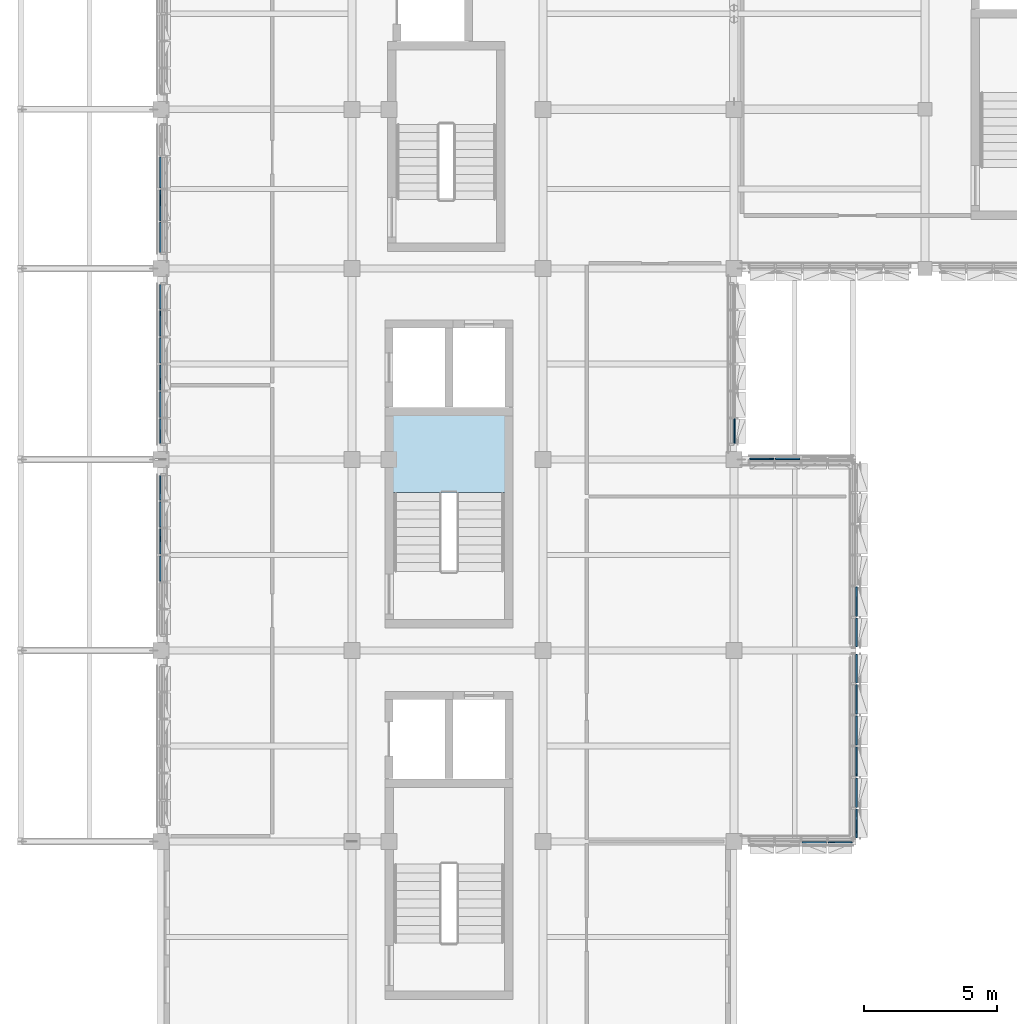
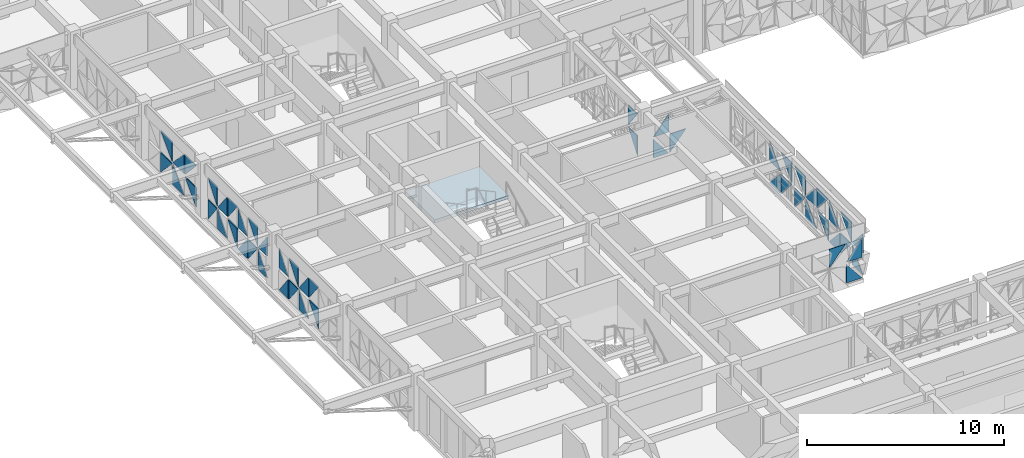
# One storey, part 35 of 99: 50 plates, 1 slab, 9 elements without a shape of their own.
"""IFC4 building model written with IfcOpenShell, lengths in metres."""

from ifc_helpers import new_model, si_unit, direction, frame, origin, place, context, subcontext, project, spatial, polyline, outline, extrude, material, layer, layer_set, type_object, element, aggregate, save


model = new_model("IFC4")

# Units and contexts
model_context = context("Model", 3, precision=1e-05, world=origin(), true_north=direction((0.0, 1.0)))
body_context = subcontext(model_context, "Body", "Model", "MODEL_VIEW")
ifc_project = project(units=[si_unit("LENGTHUNIT", "METRE"), si_unit("AREAUNIT", "SQUARE_METRE"), si_unit("VOLUMEUNIT", "CUBIC_METRE"), si_unit("PLANEANGLEUNIT", "RADIAN"), si_unit("MASSUNIT", "GRAM", prefix="KILO")], contexts=[model_context])

# Site, building, storey
site_placement = place(None, origin())
site = spatial("IfcSite", under=ifc_project, at=site_placement, CompositionType="ELEMENT")
building_placement = place(site_placement, origin())
building = spatial("IfcBuilding", under=site, at=building_placement, Name="Alvorim Cloister Faculty of Sciences", CompositionType="ELEMENT")
storey_placement = place(building_placement, frame((0.0, 0.0, 12.14990234375)))
storey = spatial("IfcBuildingStorey", under=building, at=storey_placement, Name="L03", CompositionType="ELEMENT", Elevation=12.14990234375)

# Curtain wall, plates
ifc_material_1 = material(Name="Aluminium and Low-E Glass Curtain Wall", Category="aluminium")
curtain_wall_type_1 = type_object("IfcCurtainWallType", Name="CW-TRI-6120x2850", PredefinedType="USERDEFINED", material=ifc_material_1)
curtain_wall_1_placement = place(storey_placement, origin())
curtain_wall_1 = element("IfcCurtainWall", 1, at=curtain_wall_1_placement, inside=storey, type_object=curtain_wall_type_1, Name="L03 Diagonal Cassette Curtain Wall CW-0101", ObjectType="UNITISED CURTAIN WALL", PredefinedType="USERDEFINED")
ifc_material_2 = material(Name="Double Low-E Laminated Glass", Category="glass")
ifc_layer_1 = layer(ifc_material_2, 0.0400390625)
ifc_layer_set_1 = layer_set([ifc_layer_1], Name="Double Low-E Laminated Glass")
plate_type = type_object("IfcPlateType", Name="PN-GLZ-40", PredefinedType="CURTAIN_PANEL", material=ifc_layer_set_1)
plate_1_placement = place(storey_placement, frame((7.175048828125, 31.41259765625, 0.14013671875), z_axis=(0.0, 0.0, 1.0), x_axis=(0.0, 1.0, 0.0)))
plate_1 = element("IfcPlate", 2, at=plate_1_placement, type_object=plate_type, Name="Diagonal Glazed Triangle TRI-TL", PredefinedType="CURTAIN_PANEL", context=body_context, shape_type="SweptSolid", body=[
    extrude(outline(polyline([(0.953125, 1.21484375), (0.0, 1.21484375), (0.0, 0.001953125), (0.953125, 1.21484375)])), frame((0.0, 0.02490234375, 0.0), z_axis=(0.0, -1.0, 0.0), x_axis=(1.0, 0.0, 0.0)), (0.0, 0.0, 1.0), 0.050048828125),
])
plate_2_placement = place(storey_placement, frame((7.175048828125, 31.41259765625, 1.4951171875), z_axis=(0.0, 0.0, 1.0), x_axis=(0.0, 1.0, 0.0)))
plate_2 = element("IfcPlate", 3, at=plate_2_placement, type_object=plate_type, Name="Diagonal Glazed Triangle TRI-TR", PredefinedType="CURTAIN_PANEL", context=body_context, shape_type="SweptSolid", body=[
    extrude(outline(polyline([(0.955078125, 0.001953125), (0.955078125, 1.215087890625), (0.001953125, 1.215087890625), (0.955078125, 0.001953125)])), frame((0.0, 0.02490234375, 0.0), z_axis=(0.0, -1.0, 0.0), x_axis=(1.0, 0.0, 0.0)), (0.0, 0.0, 1.0), 0.050048828125),
])
plate_3_placement = place(storey_placement, frame((7.175048828125, 32.4326171875, 0.14013671875), z_axis=(0.0, 0.0, 1.0), x_axis=(0.0, 1.0, 0.0)))
plate_3 = element("IfcPlate", 4, at=plate_3_placement, type_object=plate_type, Name="Diagonal Glazed Triangle TRI-BR", PredefinedType="CURTAIN_PANEL", context=body_context, shape_type="SweptSolid", body=[
    extrude(outline(polyline([(0.001953125, 0.0), (0.955078125, 0.0), (0.955078125, 1.212890625), (0.001953125, 0.0)])), frame((0.0, 0.02490234375, 0.0), z_axis=(0.0, -1.0, 0.0), x_axis=(1.0, 0.0, 0.0)), (0.0, 0.0, 1.0), 0.050048828125),
])
plate_4_placement = place(storey_placement, frame((7.175048828125, 32.4326171875, 1.4951171875), z_axis=(0.0, 0.0, 1.0), x_axis=(0.0, 1.0, 0.0)))
plate_4 = element("IfcPlate", 5, at=plate_4_placement, type_object=plate_type, Name="Diagonal Glazed Triangle TRI-BL", PredefinedType="CURTAIN_PANEL", context=body_context, shape_type="SweptSolid", body=[
    extrude(outline(polyline([(0.0, 0.0), (0.953125, 0.0), (0.0, 1.213134765625), (0.0, 0.0)])), frame((0.0, 0.02490234375, 0.0), z_axis=(0.0, -1.0, 0.0), x_axis=(1.0, 0.0, 0.0)), (0.0, 0.0, 1.0), 0.050048828125),
])
plate_5_placement = place(storey_placement, frame((7.175048828125, 33.452392578125, 0.14013671875), z_axis=(0.0, 0.0, 1.0), x_axis=(0.0, 1.0, 0.0)))
plate_5 = element("IfcPlate", 6, at=plate_5_placement, type_object=plate_type, Name="Diagonal Glazed Triangle TRI-TR", PredefinedType="CURTAIN_PANEL", context=body_context, shape_type="SweptSolid", body=[
    extrude(outline(polyline([(0.955078125, 0.001953125), (0.955078125, 1.21484375), (0.001953125, 1.21484375), (0.955078125, 0.001953125)])), frame((0.0, 0.02490234375, 0.0), z_axis=(0.0, -1.0, 0.0), x_axis=(1.0, 0.0, 0.0)), (0.0, 0.0, 1.0), 0.050048828125),
])
plate_6_placement = place(storey_placement, frame((7.175048828125, 33.452392578125, 1.4951171875), z_axis=(0.0, 0.0, 1.0), x_axis=(0.0, 1.0, 0.0)))
plate_6 = element("IfcPlate", 7, at=plate_6_placement, type_object=plate_type, Name="Diagonal Glazed Triangle TRI-TL", PredefinedType="CURTAIN_PANEL", context=body_context, shape_type="SweptSolid", body=[
    extrude(outline(polyline([(0.953125, 1.215087890625), (0.0, 1.215087890625), (0.0, 0.001953125), (0.953125, 1.215087890625)])), frame((0.0, 0.02490234375, 0.0), z_axis=(0.0, -1.0, 0.0), x_axis=(1.0, 0.0, 0.0)), (0.0, 0.0, 1.0), 0.050048828125),
])
plate_7_placement = place(storey_placement, frame((7.175048828125, 34.472412109375, 0.14013671875), z_axis=(0.0, 0.0, 1.0), x_axis=(0.0, 1.0, 0.0)))
plate_7 = element("IfcPlate", 8, at=plate_7_placement, type_object=plate_type, Name="Diagonal Glazed Triangle TRI-BL", PredefinedType="CURTAIN_PANEL", context=body_context, shape_type="SweptSolid", body=[
    extrude(outline(polyline([(0.0, 0.0), (0.920654296875, 0.0), (0.0, 1.212890625), (0.0, 0.0)])), frame((0.0, 0.02490234375, 0.0), z_axis=(0.0, -1.0, 0.0), x_axis=(1.0, 0.0, 0.0)), (0.0, 0.0, 1.0), 0.050048828125),
])
plate_8_placement = place(storey_placement, frame((7.175048828125, 34.472412109375, 1.4951171875), z_axis=(0.0, 0.0, 1.0), x_axis=(0.0, 1.0, 0.0)))
plate_8 = element("IfcPlate", 9, at=plate_8_placement, type_object=plate_type, Name="Diagonal Glazed Triangle TRI-BR", PredefinedType="CURTAIN_PANEL", context=body_context, shape_type="SweptSolid", body=[
    extrude(outline(polyline([(0.001953125, 0.0), (0.922607421875, 0.0), (0.922607421875, 1.213134765625), (0.001953125, 0.0)])), frame((0.0, 0.02490234375, 0.0), z_axis=(0.0, -1.0, 0.0), x_axis=(1.0, 0.0, 0.0)), (0.0, 0.0, 1.0), 0.050048828125),
])
aggregate(curtain_wall_1, [plate_1, plate_2, plate_3, plate_4, plate_5, plate_6, plate_7, plate_8])

curtain_wall_2_placement = place(storey_placement, origin())
curtain_wall_2 = element("IfcCurtainWall", 10, at=curtain_wall_2_placement, inside=storey, type_object=curtain_wall_type_1, Name="L03 Diagonal Cassette Curtain Wall CW-0102", ObjectType="UNITISED CURTAIN WALL", PredefinedType="USERDEFINED")
plate_9_placement = place(storey_placement, frame((7.175048828125, 36.60498046875, 0.14013671875), z_axis=(0.0, 0.0, 1.0), x_axis=(0.0, 1.0, 0.0)))
plate_9 = element("IfcPlate", 11, at=plate_9_placement, type_object=plate_type, Name="Diagonal Glazed Triangle TRI-BR", PredefinedType="CURTAIN_PANEL", context=body_context, shape_type="SweptSolid", body=[
    extrude(outline(polyline([(0.001953125, 0.0), (0.922607421875, 0.0), (0.922607421875, 1.212890625), (0.001953125, 0.0)])), frame((0.0, 0.02490234375, 0.0), z_axis=(0.0, -1.0, 0.0), x_axis=(1.0, 0.0, 0.0)), (0.0, 0.0, 1.0), 0.050048828125),
])
plate_10_placement = place(storey_placement, frame((7.175048828125, 36.60498046875, 1.4951171875), z_axis=(0.0, 0.0, 1.0), x_axis=(0.0, 1.0, 0.0)))
plate_10 = element("IfcPlate", 12, at=plate_10_placement, type_object=plate_type, Name="Diagonal Glazed Triangle TRI-BL", PredefinedType="CURTAIN_PANEL", context=body_context, shape_type="SweptSolid", body=[
    extrude(outline(polyline([(0.0, 0.0), (0.920654296875, 0.0), (0.0, 1.213134765625), (0.0, 0.0)])), frame((0.0, 0.02490234375, 0.0), z_axis=(0.0, -1.0, 0.0), x_axis=(1.0, 0.0, 0.0)), (0.0, 0.0, 1.0), 0.050048828125),
])
plate_11_placement = place(storey_placement, frame((7.175048828125, 37.592529296875, 0.14013671875), z_axis=(0.0, 0.0, 1.0), x_axis=(0.0, 1.0, 0.0)))
plate_11 = element("IfcPlate", 13, at=plate_11_placement, type_object=plate_type, Name="Diagonal Glazed Triangle TRI-TR", PredefinedType="CURTAIN_PANEL", context=body_context, shape_type="SweptSolid", body=[
    extrude(outline(polyline([(0.955078125, 0.001953125), (0.955078125, 1.21484375), (0.001953125, 1.21484375), (0.955078125, 0.001953125)])), frame((0.0, 0.02490234375, 0.0), z_axis=(0.0, -1.0, 0.0), x_axis=(1.0, 0.0, 0.0)), (0.0, 0.0, 1.0), 0.050048828125),
])
plate_12_placement = place(storey_placement, frame((7.175048828125, 37.592529296875, 1.4951171875), z_axis=(0.0, 0.0, 1.0), x_axis=(0.0, 1.0, 0.0)))
plate_12 = element("IfcPlate", 14, at=plate_12_placement, type_object=plate_type, Name="Diagonal Glazed Triangle TRI-TL", PredefinedType="CURTAIN_PANEL", context=body_context, shape_type="SweptSolid", body=[
    extrude(outline(polyline([(0.953125, 1.215087890625), (0.0, 1.215087890625), (0.0, 0.001953125), (0.953125, 1.215087890625)])), frame((0.0, 0.02490234375, 0.0), z_axis=(0.0, -1.0, 0.0), x_axis=(1.0, 0.0, 0.0)), (0.0, 0.0, 1.0), 0.050048828125),
])
plate_13_placement = place(storey_placement, frame((7.175048828125, 38.612548828125, 0.14013671875), z_axis=(0.0, 0.0, 1.0), x_axis=(0.0, 1.0, 0.0)))
plate_13 = element("IfcPlate", 15, at=plate_13_placement, type_object=plate_type, Name="Diagonal Glazed Triangle TRI-BL", PredefinedType="CURTAIN_PANEL", context=body_context, shape_type="SweptSolid", body=[
    extrude(outline(polyline([(0.0, 0.0), (0.953125, 0.0), (0.0, 1.212890625), (0.0, 0.0)])), frame((0.0, 0.02490234375, 0.0), z_axis=(0.0, -1.0, 0.0), x_axis=(1.0, 0.0, 0.0)), (0.0, 0.0, 1.0), 0.050048828125),
])
plate_14_placement = place(storey_placement, frame((7.175048828125, 38.612548828125, 1.4951171875), z_axis=(0.0, 0.0, 1.0), x_axis=(0.0, 1.0, 0.0)))
plate_14 = element("IfcPlate", 16, at=plate_14_placement, type_object=plate_type, Name="Diagonal Glazed Triangle TRI-BR", PredefinedType="CURTAIN_PANEL", context=body_context, shape_type="SweptSolid", body=[
    extrude(outline(polyline([(0.001953125, 0.0), (0.955078125, 0.0), (0.955078125, 1.213134765625), (0.001953125, 0.0)])), frame((0.0, 0.02490234375, 0.0), z_axis=(0.0, -1.0, 0.0), x_axis=(1.0, 0.0, 0.0)), (0.0, 0.0, 1.0), 0.050048828125),
])
plate_15_placement = place(storey_placement, frame((7.175048828125, 39.632568359375, 0.14013671875), z_axis=(0.0, 0.0, 1.0), x_axis=(0.0, 1.0, 0.0)))
plate_15 = element("IfcPlate", 17, at=plate_15_placement, type_object=plate_type, Name="Diagonal Glazed Triangle TRI-TL", PredefinedType="CURTAIN_PANEL", context=body_context, shape_type="SweptSolid", body=[
    extrude(outline(polyline([(0.953125, 1.21484375), (0.0, 1.21484375), (0.0, 0.001953125), (0.953125, 1.21484375)])), frame((0.0, 0.02490234375, 0.0), z_axis=(0.0, -1.0, 0.0), x_axis=(1.0, 0.0, 0.0)), (0.0, 0.0, 1.0), 0.050048828125),
])
plate_16_placement = place(storey_placement, frame((7.175048828125, 39.632568359375, 1.4951171875), z_axis=(0.0, 0.0, 1.0), x_axis=(0.0, 1.0, 0.0)))
plate_16 = element("IfcPlate", 18, at=plate_16_placement, type_object=plate_type, Name="Diagonal Glazed Triangle TRI-TR", PredefinedType="CURTAIN_PANEL", context=body_context, shape_type="SweptSolid", body=[
    extrude(outline(polyline([(0.955078125, 0.001953125), (0.955078125, 1.215087890625), (0.001953125, 1.215087890625), (0.955078125, 0.001953125)])), frame((0.0, 0.02490234375, 0.0), z_axis=(0.0, -1.0, 0.0), x_axis=(1.0, 0.0, 0.0)), (0.0, 0.0, 1.0), 0.050048828125),
])
plate_17_placement = place(storey_placement, frame((7.175048828125, 40.652587890625, 0.14013671875), z_axis=(0.0, 0.0, 1.0), x_axis=(0.0, 1.0, 0.0)))
plate_17 = element("IfcPlate", 19, at=plate_17_placement, type_object=plate_type, Name="Diagonal Glazed Triangle TRI-BR", PredefinedType="CURTAIN_PANEL", context=body_context, shape_type="SweptSolid", body=[
    extrude(outline(polyline([(0.001953125, 0.0), (0.955078125, 0.0), (0.955078125, 1.212890625), (0.001953125, 0.0)])), frame((0.0, 0.02490234375, 0.0), z_axis=(0.0, -1.0, 0.0), x_axis=(1.0, 0.0, 0.0)), (0.0, 0.0, 1.0), 0.050048828125),
])
plate_18_placement = place(storey_placement, frame((7.175048828125, 40.652587890625, 1.4951171875), z_axis=(0.0, 0.0, 1.0), x_axis=(0.0, 1.0, 0.0)))
plate_18 = element("IfcPlate", 20, at=plate_18_placement, type_object=plate_type, Name="Diagonal Glazed Triangle TRI-BL", PredefinedType="CURTAIN_PANEL", context=body_context, shape_type="SweptSolid", body=[
    extrude(outline(polyline([(0.0, 0.0), (0.953125, 0.0), (0.0, 1.213134765625), (0.0, 0.0)])), frame((0.0, 0.02490234375, 0.0), z_axis=(0.0, -1.0, 0.0), x_axis=(1.0, 0.0, 0.0)), (0.0, 0.0, 1.0), 0.050048828125),
])
plate_19_placement = place(storey_placement, frame((7.175048828125, 41.672607421875, 0.14013671875), z_axis=(0.0, 0.0, 1.0), x_axis=(0.0, 1.0, 0.0)))
plate_19 = element("IfcPlate", 21, at=plate_19_placement, type_object=plate_type, Name="Diagonal Glazed Triangle TRI-TR", PredefinedType="CURTAIN_PANEL", context=body_context, shape_type="SweptSolid", body=[
    extrude(outline(polyline([(0.922607421875, 0.001953125), (0.922607421875, 1.21484375), (0.001953125, 1.21484375), (0.922607421875, 0.001953125)])), frame((0.0, 0.02490234375, 0.0), z_axis=(0.0, -1.0, 0.0), x_axis=(1.0, 0.0, 0.0)), (0.0, 0.0, 1.0), 0.050048828125),
])
plate_20_placement = place(storey_placement, frame((7.175048828125, 41.672607421875, 1.4951171875), z_axis=(0.0, 0.0, 1.0), x_axis=(0.0, 1.0, 0.0)))
plate_20 = element("IfcPlate", 22, at=plate_20_placement, type_object=plate_type, Name="Diagonal Glazed Triangle TRI-TL", PredefinedType="CURTAIN_PANEL", context=body_context, shape_type="SweptSolid", body=[
    extrude(outline(polyline([(0.920654296875, 1.215087890625), (0.0, 1.215087890625), (0.0, 0.001953125), (0.920654296875, 1.215087890625)])), frame((0.0, 0.02490234375, 0.0), z_axis=(0.0, -1.0, 0.0), x_axis=(1.0, 0.0, 0.0)), (0.0, 0.0, 1.0), 0.050048828125),
])
aggregate(curtain_wall_2, [plate_9, plate_10, plate_11, plate_12, plate_13, plate_14, plate_15, plate_16, plate_17, plate_18, plate_19, plate_20])

curtain_wall_type_2 = type_object("IfcCurtainWallType", Name="CW-TRI-4920x2850", PredefinedType="USERDEFINED", material=ifc_material_1)
curtain_wall_3_placement = place(storey_placement, origin())
curtain_wall_3 = element("IfcCurtainWall", 23, at=curtain_wall_3_placement, inside=storey, type_object=curtain_wall_type_2, Name="L03 Diagonal Cassette Curtain Wall CW-0103", ObjectType="UNITISED CURTAIN WALL", PredefinedType="USERDEFINED")
plate_21_placement = place(storey_placement, frame((7.175048828125, 43.804931640625, 0.14013671875), z_axis=(0.0, 0.0, 1.0), x_axis=(0.0, 1.0, 0.0)))
plate_21 = element("IfcPlate", 24, at=plate_21_placement, type_object=plate_type, Name="Diagonal Glazed Triangle TRI-TL", PredefinedType="CURTAIN_PANEL", context=body_context, shape_type="SweptSolid", body=[
    extrude(outline(polyline([(1.130615234375, 1.21484375), (0.0, 1.21484375), (0.0, 0.001953125), (1.130615234375, 1.21484375)])), frame((0.0, 0.02490234375, 0.0), z_axis=(0.0, -1.0, 0.0), x_axis=(1.0, 0.0, 0.0)), (0.0, 0.0, 1.0), 0.050048828125),
])
plate_22_placement = place(storey_placement, frame((7.175048828125, 43.804931640625, 1.4951171875), z_axis=(0.0, 0.0, 1.0), x_axis=(0.0, 1.0, 0.0)))
plate_22 = element("IfcPlate", 25, at=plate_22_placement, type_object=plate_type, Name="Diagonal Glazed Triangle TRI-TR", PredefinedType="CURTAIN_PANEL", context=body_context, shape_type="SweptSolid", body=[
    extrude(outline(polyline([(1.132568359375, 0.001953125), (1.132568359375, 1.215087890625), (0.001953125, 1.215087890625), (1.132568359375, 0.001953125)])), frame((0.0, 0.02490234375, 0.0), z_axis=(0.0, -1.0, 0.0), x_axis=(1.0, 0.0, 0.0)), (0.0, 0.0, 1.0), 0.050048828125),
])
plate_23_placement = place(storey_placement, frame((7.175048828125, 45.00244140625, 0.14013671875), z_axis=(0.0, 0.0, 1.0), x_axis=(0.0, 1.0, 0.0)))
plate_23 = element("IfcPlate", 26, at=plate_23_placement, type_object=plate_type, Name="Diagonal Glazed Triangle TRI-BR", PredefinedType="CURTAIN_PANEL", context=body_context, shape_type="SweptSolid", body=[
    extrude(outline(polyline([(0.001953125, 0.0), (1.1650390625, 0.0), (1.1650390625, 1.212890625), (0.001953125, 0.0)])), frame((0.0, 0.02490234375, 0.0), z_axis=(0.0, -1.0, 0.0), x_axis=(1.0, 0.0, 0.0)), (0.0, 0.0, 1.0), 0.050048828125),
])
plate_24_placement = place(storey_placement, frame((7.175048828125, 45.00244140625, 1.4951171875), z_axis=(0.0, 0.0, 1.0), x_axis=(0.0, 1.0, 0.0)))
plate_24 = element("IfcPlate", 27, at=plate_24_placement, type_object=plate_type, Name="Diagonal Glazed Triangle TRI-BL", PredefinedType="CURTAIN_PANEL", context=body_context, shape_type="SweptSolid", body=[
    extrude(outline(polyline([(0.0, 0.0), (1.1630859375, 0.0), (0.0, 1.213134765625), (0.0, 0.0)])), frame((0.0, 0.02490234375, 0.0), z_axis=(0.0, -1.0, 0.0), x_axis=(1.0, 0.0, 0.0)), (0.0, 0.0, 1.0), 0.050048828125),
])
plate_25_placement = place(storey_placement, frame((7.175048828125, 46.232421875, 0.14013671875), z_axis=(0.0, 0.0, 1.0), x_axis=(0.0, 1.0, 0.0)))
plate_25 = element("IfcPlate", 28, at=plate_25_placement, type_object=plate_type, Name="Diagonal Glazed Triangle TRI-TR", PredefinedType="CURTAIN_PANEL", context=body_context, shape_type="SweptSolid", body=[
    extrude(outline(polyline([(1.1650390625, 0.001953125), (1.1650390625, 1.21484375), (0.001953125, 1.21484375), (1.1650390625, 0.001953125)])), frame((0.0, 0.02490234375, 0.0), z_axis=(0.0, -1.0, 0.0), x_axis=(1.0, 0.0, 0.0)), (0.0, 0.0, 1.0), 0.050048828125),
])
plate_26_placement = place(storey_placement, frame((7.175048828125, 46.232421875, 1.4951171875), z_axis=(0.0, 0.0, 1.0), x_axis=(0.0, 1.0, 0.0)))
plate_26 = element("IfcPlate", 29, at=plate_26_placement, type_object=plate_type, Name="Diagonal Glazed Triangle TRI-TL", PredefinedType="CURTAIN_PANEL", context=body_context, shape_type="SweptSolid", body=[
    extrude(outline(polyline([(1.1630859375, 1.215087890625), (0.0, 1.215087890625), (0.0, 0.001953125), (1.1630859375, 1.215087890625)])), frame((0.0, 0.02490234375, 0.0), z_axis=(0.0, -1.0, 0.0), x_axis=(1.0, 0.0, 0.0)), (0.0, 0.0, 1.0), 0.050048828125),
])
aggregate(curtain_wall_3, [plate_21, plate_22, plate_23, plate_24, plate_25, plate_26])

curtain_wall_4_placement = place(storey_placement, origin())
curtain_wall_4 = element("IfcCurtainWall", 30, at=curtain_wall_4_placement, inside=storey, type_object=curtain_wall_type_1, Name="L03 Diagonal Cassette Curtain Wall CW-0139", ObjectType="UNITISED CURTAIN WALL", PredefinedType="USERDEFINED")
plate_27_placement = place(storey_placement, frame((28.824951171875, 36.60498046875, 0.14013671875), z_axis=(0.0, 0.0, 1.0), x_axis=(0.0, 1.0, 0.0)))
plate_27 = element("IfcPlate", 31, at=plate_27_placement, type_object=plate_type, Name="Diagonal Glazed Triangle TRI-TL", PredefinedType="CURTAIN_PANEL", context=body_context, shape_type="SweptSolid", body=[
    extrude(outline(polyline([(0.920654296875, 1.21484375), (0.0, 1.21484375), (0.0, 0.001953125), (0.920654296875, 1.21484375)])), frame((0.0, 0.02490234375, 0.0), z_axis=(0.0, -1.0, 0.0), x_axis=(1.0, 0.0, 0.0)), (0.0, 0.0, 1.0), 0.050048828125),
])
plate_28_placement = place(storey_placement, frame((28.824951171875, 36.60498046875, 1.4951171875), z_axis=(0.0, 0.0, 1.0), x_axis=(0.0, 1.0, 0.0)))
plate_28 = element("IfcPlate", 32, at=plate_28_placement, type_object=plate_type, Name="Diagonal Glazed Triangle TRI-TR", PredefinedType="CURTAIN_PANEL", context=body_context, shape_type="SweptSolid", body=[
    extrude(outline(polyline([(0.922607421875, 0.001953125), (0.922607421875, 1.215087890625), (0.001953125, 1.215087890625), (0.922607421875, 0.001953125)])), frame((0.0, 0.02490234375, 0.0), z_axis=(0.0, -1.0, 0.0), x_axis=(1.0, 0.0, 0.0)), (0.0, 0.0, 1.0), 0.050048828125),
])
aggregate(curtain_wall_4, [plate_27, plate_28])

curtain_wall_type_3 = type_object("IfcCurtainWallType", Name="CW-TRI-3980x2706", PredefinedType="USERDEFINED", material=ifc_material_1)
curtain_wall_5_placement = place(storey_placement, origin())
curtain_wall_5 = element("IfcCurtainWall", 33, at=curtain_wall_5_placement, inside=storey, type_object=curtain_wall_type_3, Name="L03 Diagonal Cassette Curtain Wall CW-0140", ObjectType="UNITISED CURTAIN WALL", PredefinedType="USERDEFINED")
plate_29_placement = place(storey_placement, frame((29.405029296875, 36.02490234375, 0.14013671875), z_axis=(0.0, 0.0, 1.0), x_axis=(1.0, 0.0, 0.0)))
plate_29 = element("IfcPlate", 34, at=plate_29_placement, type_object=plate_type, Name="Diagonal Glazed Triangle TRI-BL", PredefinedType="CURTAIN_PANEL", context=body_context, shape_type="SweptSolid", body=[
    extrude(outline(polyline([(0.0, 0.0), (0.8955078125, 0.0), (0.0, 1.14111328125), (0.0, 0.0)])), frame((0.0, 0.02490234375, 0.0), z_axis=(0.0, -1.0, 0.0), x_axis=(1.0, 0.0, 0.0)), (0.0, 0.0, 1.0), 0.050048828125),
])
plate_30_placement = place(storey_placement, frame((29.405029296875, 36.02490234375, 1.423095703125), z_axis=(0.0, 0.0, 1.0), x_axis=(1.0, 0.0, 0.0)))
plate_30 = element("IfcPlate", 35, at=plate_30_placement, type_object=plate_type, Name="Diagonal Glazed Triangle TRI-BR", PredefinedType="CURTAIN_PANEL", context=body_context, shape_type="SweptSolid", body=[
    extrude(outline(polyline([(0.001953125, 0.0), (0.8974609375, 0.0), (0.8974609375, 1.14111328125), (0.001953125, 0.0)])), frame((0.0, 0.02490234375, 0.0), z_axis=(0.0, -1.0, 0.0), x_axis=(1.0, 0.0, 0.0)), (0.0, 0.0, 1.0), 0.050048828125),
])
plate_31_placement = place(storey_placement, frame((30.367431640625, 36.02490234375, 0.14013671875), z_axis=(0.0, 0.0, 1.0), x_axis=(1.0, 0.0, 0.0)))
plate_31 = element("IfcPlate", 36, at=plate_31_placement, type_object=plate_type, Name="Diagonal Glazed Triangle TRI-TL", PredefinedType="CURTAIN_PANEL", context=body_context, shape_type="SweptSolid", body=[
    extrude(outline(polyline([(0.927978515625, 1.14306640625), (0.0, 1.14306640625), (0.0, 0.001953125), (0.927978515625, 1.14306640625)])), frame((0.0, 0.02490234375, 0.0), z_axis=(0.0, -1.0, 0.0), x_axis=(1.0, 0.0, 0.0)), (0.0, 0.0, 1.0), 0.050048828125),
])
aggregate(curtain_wall_5, [plate_29, plate_30, plate_31])

curtain_wall_type_4 = type_object("IfcCurtainWallType", Name="CW-TRI-7040x2857", PredefinedType="USERDEFINED", material=ifc_material_1)
curtain_wall_6_placement = place(storey_placement, origin())
curtain_wall_6 = element("IfcCurtainWall", 37, at=curtain_wall_6_placement, inside=storey, type_object=curtain_wall_type_4, Name="L03 Diagonal Cassette Curtain Wall CW-0141", ObjectType="UNITISED CURTAIN WALL", PredefinedType="USERDEFINED")
plate_32_placement = place(storey_placement, frame((33.425048828125, 28.945068359375, 0.14013671875), z_axis=(0.0, 0.0, 1.0), x_axis=(0.0, 1.0, 0.0)))
plate_32 = element("IfcPlate", 38, at=plate_32_placement, type_object=plate_type, Name="Diagonal Glazed Triangle TRI-TR", PredefinedType="CURTAIN_PANEL", context=body_context, shape_type="SweptSolid", body=[
    extrude(outline(polyline([(1.075927734375, 0.001953125), (1.075927734375, 1.218505859375), (0.001953125, 1.218505859375), (1.075927734375, 0.001953125)])), frame((0.0, 0.02490234375, 0.0), z_axis=(0.0, -1.0, 0.0), x_axis=(1.0, 0.0, 0.0)), (0.0, 0.0, 1.0), 0.050048828125),
])
plate_33_placement = place(storey_placement, frame((33.425048828125, 28.945068359375, 1.49853515625), z_axis=(0.0, 0.0, 1.0), x_axis=(0.0, 1.0, 0.0)))
plate_33 = element("IfcPlate", 39, at=plate_33_placement, type_object=plate_type, Name="Diagonal Glazed Triangle TRI-TL", PredefinedType="CURTAIN_PANEL", context=body_context, shape_type="SweptSolid", body=[
    extrude(outline(polyline([(1.073974609375, 1.218505859375), (0.0, 1.218505859375), (0.0, 0.001953125), (1.073974609375, 1.218505859375)])), frame((0.0, 0.02490234375, 0.0), z_axis=(0.0, -1.0, 0.0), x_axis=(1.0, 0.0, 0.0)), (0.0, 0.0, 1.0), 0.050048828125),
])
plate_34_placement = place(storey_placement, frame((33.425048828125, 30.0859375, 0.14013671875), z_axis=(0.0, 0.0, 1.0), x_axis=(0.0, 1.0, 0.0)))
plate_34 = element("IfcPlate", 40, at=plate_34_placement, type_object=plate_type, Name="Diagonal Glazed Triangle TRI-BL", PredefinedType="CURTAIN_PANEL", context=body_context, shape_type="SweptSolid", body=[
    extrude(outline(polyline([(0.0, 0.0), (1.1064453125, 0.0), (0.0, 1.216552734375), (0.0, 0.0)])), frame((0.0, 0.02490234375, 0.0), z_axis=(0.0, -1.0, 0.0), x_axis=(1.0, 0.0, 0.0)), (0.0, 0.0, 1.0), 0.050048828125),
])
plate_35_placement = place(storey_placement, frame((33.425048828125, 30.0859375, 1.49853515625), z_axis=(0.0, 0.0, 1.0), x_axis=(0.0, 1.0, 0.0)))
plate_35 = element("IfcPlate", 41, at=plate_35_placement, type_object=plate_type, Name="Diagonal Glazed Triangle TRI-BR", PredefinedType="CURTAIN_PANEL", context=body_context, shape_type="SweptSolid", body=[
    extrude(outline(polyline([(0.001953125, 0.0), (1.1083984375, 0.0), (1.1083984375, 1.216552734375), (0.001953125, 0.0)])), frame((0.0, 0.02490234375, 0.0), z_axis=(0.0, -1.0, 0.0), x_axis=(1.0, 0.0, 0.0)), (0.0, 0.0, 1.0), 0.050048828125),
])
aggregate(curtain_wall_6, [plate_32, plate_33, plate_34, plate_35])

curtain_wall_7_placement = place(storey_placement, origin())
curtain_wall_7 = element("IfcCurtainWall", 42, at=curtain_wall_7_placement, inside=storey, type_object=curtain_wall_type_4, Name="L03 Diagonal Cassette Curtain Wall CW-0142", ObjectType="UNITISED CURTAIN WALL", PredefinedType="USERDEFINED")
plate_36_placement = place(storey_placement, frame((33.425048828125, 21.7451171875, 0.14013671875), z_axis=(0.0, 0.0, 1.0), x_axis=(0.0, 1.0, 0.0)))
plate_36 = element("IfcPlate", 43, at=plate_36_placement, type_object=plate_type, Name="Diagonal Glazed Triangle TRI-BR", PredefinedType="CURTAIN_PANEL", context=body_context, shape_type="SweptSolid", body=[
    extrude(outline(polyline([(0.001953125, 0.0), (1.075927734375, 0.0), (1.075927734375, 1.216552734375), (0.001953125, 0.0)])), frame((0.0, 0.02490234375, 0.0), z_axis=(0.0, -1.0, 0.0), x_axis=(1.0, 0.0, 0.0)), (0.0, 0.0, 1.0), 0.050048828125),
])
plate_37_placement = place(storey_placement, frame((33.425048828125, 21.7451171875, 1.49853515625), z_axis=(0.0, 0.0, 1.0), x_axis=(0.0, 1.0, 0.0)))
plate_37 = element("IfcPlate", 44, at=plate_37_placement, type_object=plate_type, Name="Diagonal Glazed Triangle TRI-BL", PredefinedType="CURTAIN_PANEL", context=body_context, shape_type="SweptSolid", body=[
    extrude(outline(polyline([(0.0, 0.0), (1.073974609375, 0.0), (0.0, 1.216552734375), (0.0, 0.0)])), frame((0.0, 0.02490234375, 0.0), z_axis=(0.0, -1.0, 0.0), x_axis=(1.0, 0.0, 0.0)), (0.0, 0.0, 1.0), 0.050048828125),
])
plate_38_placement = place(storey_placement, frame((33.425048828125, 22.8857421875, 0.14013671875), z_axis=(0.0, 0.0, 1.0), x_axis=(0.0, 1.0, 0.0)))
plate_38 = element("IfcPlate", 45, at=plate_38_placement, type_object=plate_type, Name="Diagonal Glazed Triangle TRI-TR", PredefinedType="CURTAIN_PANEL", context=body_context, shape_type="SweptSolid", body=[
    extrude(outline(polyline([(1.1083984375, 0.001953125), (1.1083984375, 1.218505859375), (0.001953125, 1.218505859375), (1.1083984375, 0.001953125)])), frame((0.0, 0.02490234375, 0.0), z_axis=(0.0, -1.0, 0.0), x_axis=(1.0, 0.0, 0.0)), (0.0, 0.0, 1.0), 0.050048828125),
])
plate_39_placement = place(storey_placement, frame((33.425048828125, 22.8857421875, 1.49853515625), z_axis=(0.0, 0.0, 1.0), x_axis=(0.0, 1.0, 0.0)))
plate_39 = element("IfcPlate", 46, at=plate_39_placement, type_object=plate_type, Name="Diagonal Glazed Triangle TRI-TL", PredefinedType="CURTAIN_PANEL", context=body_context, shape_type="SweptSolid", body=[
    extrude(outline(polyline([(1.1064453125, 1.218505859375), (0.0, 1.218505859375), (0.0, 0.001953125), (1.1064453125, 1.218505859375)])), frame((0.0, 0.02490234375, 0.0), z_axis=(0.0, -1.0, 0.0), x_axis=(1.0, 0.0, 0.0)), (0.0, 0.0, 1.0), 0.050048828125),
])
plate_40_placement = place(storey_placement, frame((33.425048828125, 24.05908203125, 0.14013671875), z_axis=(0.0, 0.0, 1.0), x_axis=(0.0, 1.0, 0.0)))
plate_40 = element("IfcPlate", 47, at=plate_40_placement, type_object=plate_type, Name="Diagonal Glazed Triangle TRI-BL", PredefinedType="CURTAIN_PANEL", context=body_context, shape_type="SweptSolid", body=[
    extrude(outline(polyline([(0.0, 0.0), (1.1064453125, 0.0), (0.0, 1.216552734375), (0.0, 0.0)])), frame((0.0, 0.02490234375, 0.0), z_axis=(0.0, -1.0, 0.0), x_axis=(1.0, 0.0, 0.0)), (0.0, 0.0, 1.0), 0.050048828125),
])
plate_41_placement = place(storey_placement, frame((33.425048828125, 24.05908203125, 1.49853515625), z_axis=(0.0, 0.0, 1.0), x_axis=(0.0, 1.0, 0.0)))
plate_41 = element("IfcPlate", 48, at=plate_41_placement, type_object=plate_type, Name="Diagonal Glazed Triangle TRI-BR", PredefinedType="CURTAIN_PANEL", context=body_context, shape_type="SweptSolid", body=[
    extrude(outline(polyline([(0.001953125, 0.0), (1.1083984375, 0.0), (1.1083984375, 1.216552734375), (0.001953125, 0.0)])), frame((0.0, 0.02490234375, 0.0), z_axis=(0.0, -1.0, 0.0), x_axis=(1.0, 0.0, 0.0)), (0.0, 0.0, 1.0), 0.050048828125),
])
plate_42_placement = place(storey_placement, frame((33.425048828125, 25.232421875, 0.14013671875), z_axis=(0.0, 0.0, 1.0), x_axis=(0.0, 1.0, 0.0)))
plate_42 = element("IfcPlate", 49, at=plate_42_placement, type_object=plate_type, Name="Diagonal Glazed Triangle TRI-TL", PredefinedType="CURTAIN_PANEL", context=body_context, shape_type="SweptSolid", body=[
    extrude(outline(polyline([(1.1064453125, 1.218505859375), (0.0, 1.218505859375), (0.0, 0.001953125), (1.1064453125, 1.218505859375)])), frame((0.0, 0.02490234375, 0.0), z_axis=(0.0, -1.0, 0.0), x_axis=(1.0, 0.0, 0.0)), (0.0, 0.0, 1.0), 0.050048828125),
])
plate_43_placement = place(storey_placement, frame((33.425048828125, 25.232421875, 1.49853515625), z_axis=(0.0, 0.0, 1.0), x_axis=(0.0, 1.0, 0.0)))
plate_43 = element("IfcPlate", 50, at=plate_43_placement, type_object=plate_type, Name="Diagonal Glazed Triangle TRI-TR", PredefinedType="CURTAIN_PANEL", context=body_context, shape_type="SweptSolid", body=[
    extrude(outline(polyline([(1.1083984375, 0.001953125), (1.1083984375, 1.218505859375), (0.001953125, 1.218505859375), (1.1083984375, 0.001953125)])), frame((0.0, 0.02490234375, 0.0), z_axis=(0.0, -1.0, 0.0), x_axis=(1.0, 0.0, 0.0)), (0.0, 0.0, 1.0), 0.050048828125),
])
plate_44_placement = place(storey_placement, frame((33.425048828125, 26.40576171875, 0.14013671875), z_axis=(0.0, 0.0, 1.0), x_axis=(0.0, 1.0, 0.0)))
plate_44 = element("IfcPlate", 51, at=plate_44_placement, type_object=plate_type, Name="Diagonal Glazed Triangle TRI-BR", PredefinedType="CURTAIN_PANEL", context=body_context, shape_type="SweptSolid", body=[
    extrude(outline(polyline([(0.001953125, 0.0), (1.1083984375, 0.0), (1.1083984375, 1.216552734375), (0.001953125, 0.0)])), frame((0.0, 0.02490234375, 0.0), z_axis=(0.0, -1.0, 0.0), x_axis=(1.0, 0.0, 0.0)), (0.0, 0.0, 1.0), 0.050048828125),
])
plate_45_placement = place(storey_placement, frame((33.425048828125, 26.40576171875, 1.49853515625), z_axis=(0.0, 0.0, 1.0), x_axis=(0.0, 1.0, 0.0)))
plate_45 = element("IfcPlate", 52, at=plate_45_placement, type_object=plate_type, Name="Diagonal Glazed Triangle TRI-BL", PredefinedType="CURTAIN_PANEL", context=body_context, shape_type="SweptSolid", body=[
    extrude(outline(polyline([(0.0, 0.0), (1.1064453125, 0.0), (0.0, 1.216552734375), (0.0, 0.0)])), frame((0.0, 0.02490234375, 0.0), z_axis=(0.0, -1.0, 0.0), x_axis=(1.0, 0.0, 0.0)), (0.0, 0.0, 1.0), 0.050048828125),
])
plate_46_placement = place(storey_placement, frame((33.425048828125, 27.5791015625, 0.14013671875), z_axis=(0.0, 0.0, 1.0), x_axis=(0.0, 1.0, 0.0)))
plate_46 = element("IfcPlate", 53, at=plate_46_placement, type_object=plate_type, Name="Diagonal Glazed Triangle TRI-TR", PredefinedType="CURTAIN_PANEL", context=body_context, shape_type="SweptSolid", body=[
    extrude(outline(polyline([(1.075927734375, 0.001953125), (1.075927734375, 1.218505859375), (0.001953125, 1.218505859375), (1.075927734375, 0.001953125)])), frame((0.0, 0.02490234375, 0.0), z_axis=(0.0, -1.0, 0.0), x_axis=(1.0, 0.0, 0.0)), (0.0, 0.0, 1.0), 0.050048828125),
])
plate_47_placement = place(storey_placement, frame((33.425048828125, 27.5791015625, 1.49853515625), z_axis=(0.0, 0.0, 1.0), x_axis=(0.0, 1.0, 0.0)))
plate_47 = element("IfcPlate", 54, at=plate_47_placement, type_object=plate_type, Name="Diagonal Glazed Triangle TRI-TL", PredefinedType="CURTAIN_PANEL", context=body_context, shape_type="SweptSolid", body=[
    extrude(outline(polyline([(1.073974609375, 1.218505859375), (0.0, 1.218505859375), (0.0, 0.001953125), (1.073974609375, 1.218505859375)])), frame((0.0, 0.02490234375, 0.0), z_axis=(0.0, -1.0, 0.0), x_axis=(1.0, 0.0, 0.0)), (0.0, 0.0, 1.0), 0.050048828125),
])
aggregate(curtain_wall_7, [plate_36, plate_37, plate_38, plate_39, plate_40, plate_41, plate_42, plate_43, plate_44, plate_45, plate_46, plate_47])

curtain_wall_8_placement = place(storey_placement, origin())
curtain_wall_8 = element("IfcCurtainWall", 55, at=curtain_wall_8_placement, inside=storey, type_object=curtain_wall_type_3, Name="L03 Diagonal Cassette Curtain Wall CW-0143", ObjectType="UNITISED CURTAIN WALL", PredefinedType="USERDEFINED")
plate_48_placement = place(storey_placement, frame((31.362548828125, 21.574951171875, 1.423095703125), z_axis=(0.0, 0.0, 1.0), x_axis=(1.0, 0.0, 0.0)))
plate_48 = element("IfcPlate", 56, at=plate_48_placement, type_object=plate_type, Name="Diagonal Glazed Triangle TRI-TL", PredefinedType="CURTAIN_PANEL", context=body_context, shape_type="SweptSolid", body=[
    extrude(outline(polyline([(0.927978515625, 1.14306640625), (0.0, 1.14306640625), (0.0, 0.001953125), (0.927978515625, 1.14306640625)])), frame((0.0, 0.02490234375, 0.0), z_axis=(0.0, -1.0, 0.0), x_axis=(1.0, 0.0, 0.0)), (0.0, 0.0, 1.0), 0.050048828125),
])
plate_49_placement = place(storey_placement, frame((32.357421875, 21.574951171875, 0.14013671875), z_axis=(0.0, 0.0, 1.0), x_axis=(1.0, 0.0, 0.0)))
plate_49 = element("IfcPlate", 57, at=plate_49_placement, type_object=plate_type, Name="Diagonal Glazed Triangle TRI-BL", PredefinedType="CURTAIN_PANEL", context=body_context, shape_type="SweptSolid", body=[
    extrude(outline(polyline([(0.0, 0.0), (0.8955078125, 0.0), (0.0, 1.14111328125), (0.0, 0.0)])), frame((0.0, 0.02490234375, 0.0), z_axis=(0.0, -1.0, 0.0), x_axis=(1.0, 0.0, 0.0)), (0.0, 0.0, 1.0), 0.050048828125),
])
plate_50_placement = place(storey_placement, frame((32.357421875, 21.574951171875, 1.423095703125), z_axis=(0.0, 0.0, 1.0), x_axis=(1.0, 0.0, 0.0)))
plate_50 = element("IfcPlate", 58, at=plate_50_placement, type_object=plate_type, Name="Diagonal Glazed Triangle TRI-BR", PredefinedType="CURTAIN_PANEL", context=body_context, shape_type="SweptSolid", body=[
    extrude(outline(polyline([(0.001953125, 0.0), (0.8974609375, 0.0), (0.8974609375, 1.14111328125), (0.001953125, 0.0)])), frame((0.0, 0.02490234375, 0.0), z_axis=(0.0, -1.0, 0.0), x_axis=(1.0, 0.0, 0.0)), (0.0, 0.0, 1.0), 0.050048828125),
])
aggregate(curtain_wall_8, [plate_48, plate_49, plate_50])

# Stair, slab
ifc_material_3 = material(Name="Concrete C40", Category="concrete")
stair_type = type_object("IfcStairType", Name="STR-ST-02-1780x3600", PredefinedType="HALF_TURN_STAIR", material=ifc_material_3)
stair_placement = place(storey_placement, origin())
stair = element("IfcStair", 59, at=stair_placement, inside=storey, type_object=stair_type, Name="L03 Enclosed Smoke-Proof Stair ST-02", PredefinedType="HALF_TURN_STAIR")
ifc_layer_2 = layer(ifc_material_3, 0.199951171875)
ifc_layer_set_2 = layer_set([ifc_layer_2], Name="Concrete C40")
slab_type = type_object("IfcSlabType", Name="SL-LAND-200", PredefinedType="LANDING", material=ifc_layer_set_2)
slab_placement = place(storey_placement, frame((0.0, 0.0, 1.60009765625)))
slab = element("IfcSlab", 60, at=slab_placement, type_object=slab_type, Name="ST-02 landing 1", PredefinedType="LANDING", context=body_context, shape_type="SweptSolid", body=[
    extrude(outline(polyline([(20.239990234375, 34.75), (20.239990234375, 37.719970703125), (15.8798828125, 37.719970703125), (15.8798828125, 34.75), (20.239990234375, 34.75)])), origin(), (0.0, 0.0, 1.0), 0.199951171875),
])
aggregate(stair, [slab])

save(model, "model.ifc")
